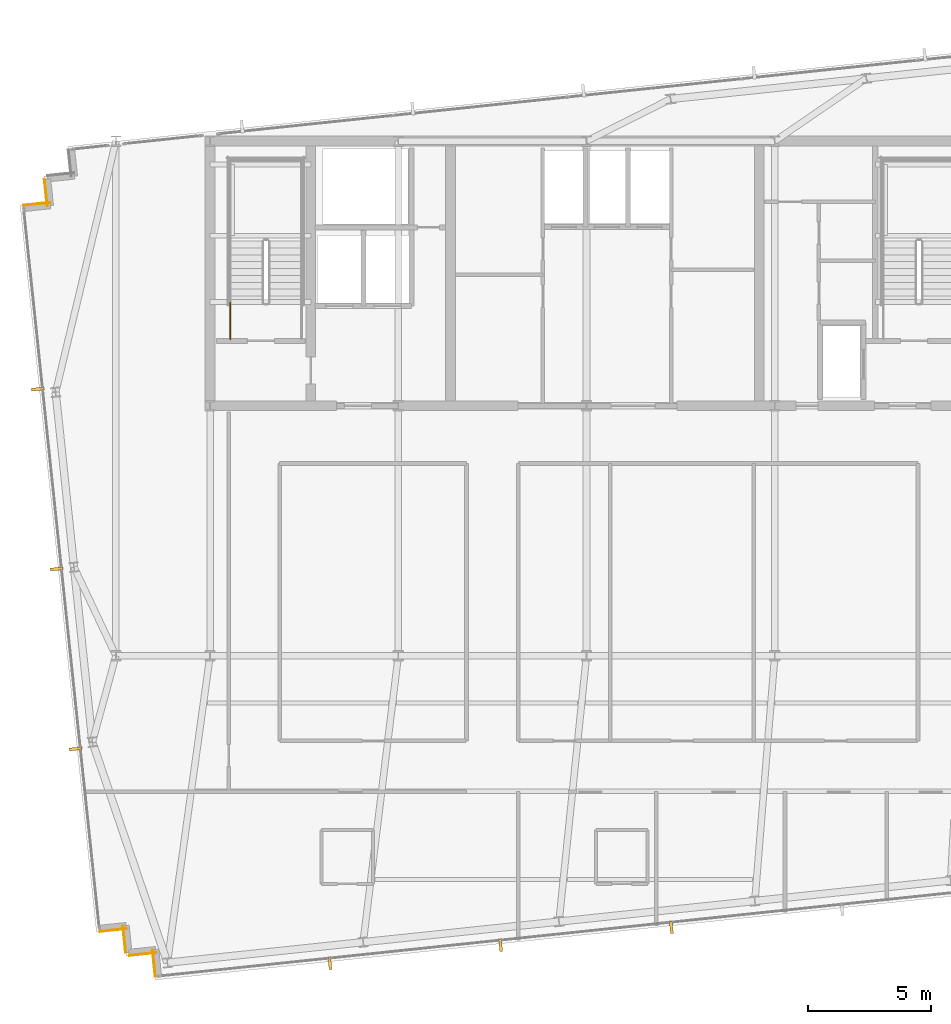
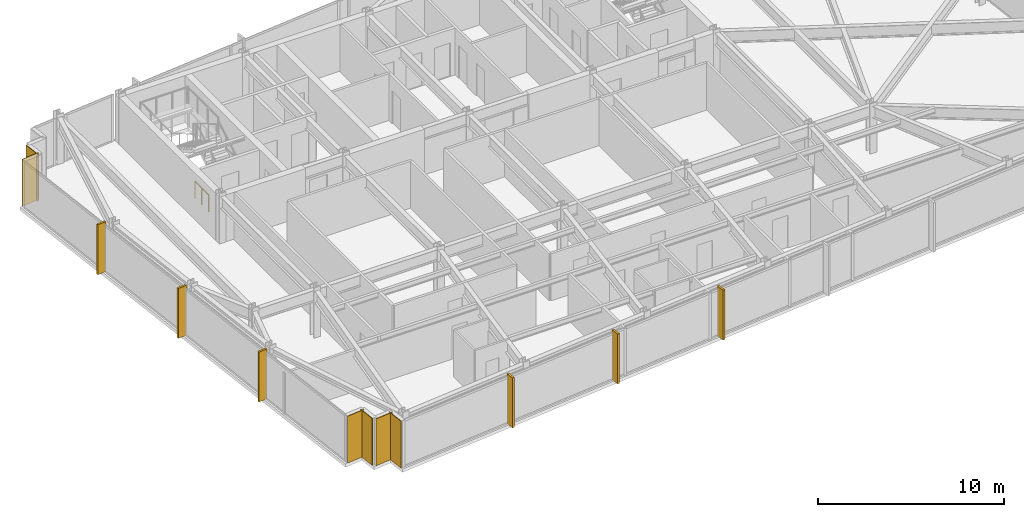
# One storey, part 29 of 32: 6 coverings, 6 shading devices, 1 railing.
"""IFC4 building model written with IfcOpenShell, lengths in metres."""

from ifc_helpers import new_model, si_unit, direction, frame, frame_2d, origin, origin_2d, place, context, subcontext, project, spatial, rectangle, circle, extrude, material, layer, layer_set, type_object, element, save


model = new_model("IFC4")

# Units and contexts
model_context = context("Model", 3, precision=1e-05, world=origin(), true_north=direction((0.0, 1.0)))
body_context = subcontext(model_context, "Body", "Model", "MODEL_VIEW")
ifc_project = project(units=[si_unit("LENGTHUNIT", "METRE"), si_unit("AREAUNIT", "SQUARE_METRE"), si_unit("VOLUMEUNIT", "CUBIC_METRE"), si_unit("PLANEANGLEUNIT", "RADIAN"), si_unit("MASSUNIT", "GRAM", prefix="KILO")], contexts=[model_context])

# Site, building, storey
site_placement = place(None, origin())
site = spatial("IfcSite", under=ifc_project, at=site_placement, CompositionType="ELEMENT")
building_placement = place(site_placement, origin())
building = spatial("IfcBuilding", under=site, at=building_placement, Name="Yelkora Congress Tower", CompositionType="ELEMENT")
storey_placement = place(building_placement, frame((0.0, 0.0, 217.699951171875)))
storey = spatial("IfcBuildingStorey", under=building, at=storey_placement, Name="L60", CompositionType="ELEMENT", Elevation=217.699951171875)

# Coverings
ifc_material_1 = material(Name="Anatolian bush-hammered limestone", Category="masonry")
ifc_layer_1 = layer(ifc_material_1, 0.0400390625)
ifc_layer_set_1 = layer_set([ifc_layer_1], Name="Anatolian bush-hammered limestone")
covering_type = type_object("IfcCoveringType", Name="COV-CLAD-SPANDREL-40", PredefinedType="CLADDING", material=ifc_layer_set_1)
covering_1_placement = place(storey_placement, frame((20.810302734375, 12.114501953125, 0.0), z_axis=(0.0, 0.0, 1.0), x_axis=(-0.104557671117, 0.994518825066, 0.0)))
element("IfcCovering", 1, at=covering_1_placement, inside=storey, type_object=covering_type, Name="L60 Anatolian Limestone Cladding EW-L60-SR01", PredefinedType="CLADDING", context=body_context, shape_type="SweptSolid", body=[
    extrude(rectangle(XDim=1.099853515625, YDim=0.0400390625, at=frame_2d((0.5498046875, 0.0))), origin(), (0.0, 0.0, 1.0), 3.080078125),
])
for number, where, z_axis, x_axis, name in (
    (2, (20.84375, 13.088134765625, 0.0), (0.0, 0.0, 1.0), (-0.994521251134, -0.104534592565, 0.0), "L60 Anatolian Limestone Cladding EW-L60-SR02"),
    (3, (19.601318359375, 13.09326171875, 0.0), (0.0, 0.0, 1.0), (-0.104534592565, 0.994521251134, 0.0), "L60 Anatolian Limestone Cladding EW-L60-SR03"),
    (4, (19.634765625, 14.067138671875, 0.0), (0.0, 0.0, 1.0), (-0.994521251134, -0.104534592565, 0.0), "L60 Anatolian Limestone Cladding EW-L60-SR04"),
):
    element("IfcCovering", number, at=place(storey_placement, frame(where, z_axis=z_axis, x_axis=x_axis)), inside=storey, type_object=covering_type, Name=name, PredefinedType="CLADDING", context=body_context, shape_type="SweptSolid", body=[
        extrude(rectangle(XDim=1.10009765625, YDim=0.0400390625, at=frame_2d((0.550048828125, 0.0))), origin(), (0.0, 0.0, 1.0), 3.080078125),
    ])
covering_2_placement = place(storey_placement, frame((15.427001953125, 43.5791015625, 0.0), z_axis=(0.0, 0.0, 1.0), x_axis=(0.994518825066, 0.104557671117, 0.0)))
element("IfcCovering", 5, at=covering_2_placement, inside=storey, type_object=covering_type, Name="L60 Anatolian Limestone Cladding EW-L60-SR06", PredefinedType="CLADDING", context=body_context, shape_type="SweptSolid", body=[
    extrude(rectangle(XDim=1.099853515625, YDim=0.0400390625, at=frame_2d((0.5498046875, 0.0))), origin(), (0.0, 0.0, 1.0), 3.080078125),
])
covering_3_placement = place(storey_placement, frame((16.400634765625, 43.545654296875, 0.0), z_axis=(0.0, 0.0, 1.0), x_axis=(-0.104315068386, 0.994544300928, 0.0)))
element("IfcCovering", 6, at=covering_3_placement, inside=storey, type_object=covering_type, Name="L60 Anatolian Limestone Cladding EW-L60-SR07", PredefinedType="CLADDING", context=body_context, shape_type="SweptSolid", body=[
    extrude(rectangle(XDim=1.10009765625, YDim=0.0400390625, at=frame_2d((0.550048828125, 0.0))), origin(), (0.0, 0.0, 1.0), 3.080078125),
])

# Railing
ifc_material_2 = material(Name="Painted galvanised steel stair well guard with vertical infill", Category="steel")
ifc_layer_2 = layer(ifc_material_2, 0.06005859375)
ifc_layer_set_2 = layer_set([ifc_layer_2], Name="Painted galvanised steel stair well guard with vertical infill")
railing_type = type_object("IfcRailingType", Name="RAIL-STAIR-GUARD-1120", PredefinedType="GUARDRAIL", material=ifc_layer_set_2)
railing_placement = place(storey_placement, frame((23.8701171875, 38.1201171875, 0.0)))
element("IfcRailing", 7, at=railing_placement, inside=storey, type_object=railing_type, Name="ST-01 L60 Stair Well Guardrail 9", PredefinedType="GUARDRAIL", context=body_context, shape_type="SweptSolid", body=[
    extrude(circle(Radius=0.02392578125, at=origin_2d()), frame((0.0, 0.0, 1.09619140625), z_axis=(0.0, 1.0, 0.0), x_axis=(-1.0, 0.0, 0.0)), (0.0, 0.0, 1.0), 1.47998046875),
    extrude(circle(Radius=0.02099609375, at=origin_2d()), origin(), (0.0, 0.0, 1.0), 1.072021484375),
    extrude(circle(Radius=0.02099609375, at=origin_2d()), frame((0.0, 0.739990234375, 0.0)), (0.0, 0.0, 1.0), 1.072021484375),
    extrude(circle(Radius=0.02099609375, at=origin_2d()), frame((0.0, 1.47998046875, 0.0)), (0.0, 0.0, 1.0), 1.072021484375),
])

# Shading devices
ifc_material_3 = material(Name="Champagne anodised aluminium", Category="aluminium")
ifc_layer_3 = layer(ifc_material_3, 3.300048828125)
ifc_layer_set_3 = layer_set([ifc_layer_3], Name="Champagne anodised aluminium")
shading_device_type = type_object("IfcShadingDeviceType", Name="SHD-FIN-ALU-520", PredefinedType="USERDEFINED", material=ifc_layer_set_3)
for number, where, z_axis, x_axis, name in (
    (8, (17.556396484375, 21.405029296875, -0.02978515625), (0.0, 0.0, 1.0), (-0.104528463268, 0.994521895368, 0.0), "L60 Vertical Anodised Solar Fin 5-1"),
    (9, (16.784912109375, 28.74462890625, -0.02978515625), (0.0, 0.0, 1.0), (-0.104528463268, 0.994521895368, 0.0), "L60 Vertical Anodised Solar Fin 5-2"),
    (10, (16.013671875, 36.084228515625, -0.02978515625), (0.0, 0.0, 1.0), (-0.104528463268, 0.994521895368, 0.0), "L60 Vertical Anodised Solar Fin 5-3"),
    (11, (41.85888671875, 14.12548828125, -0.02978515625), (0.0, 0.0, 1.0), (-0.994521895368, -0.104528463268, 0.0), "L60 Vertical Anodised Solar Fin 20-4"),
    (12, (34.89453125, 13.3935546875, -0.02978515625), (0.0, 0.0, 1.0), (-0.994521895368, -0.104528463268, 0.0), "L60 Vertical Anodised Solar Fin 20-5"),
    (13, (27.929931640625, 12.66162109375, -0.02978515625), (0.0, 0.0, 1.0), (-0.994521895368, -0.104528463268, 0.0), "L60 Vertical Anodised Solar Fin 20-6"),
):
    element("IfcShadingDevice", number, at=place(storey_placement, frame(where, z_axis=z_axis, x_axis=x_axis)), inside=storey, type_object=shading_device_type, Name=name, ObjectType="FIN", PredefinedType="USERDEFINED", context=body_context, shape_type="SweptSolid", body=[
        extrude(rectangle(XDim=0.1201171875, YDim=0.52001953125, at=origin_2d()), origin(), (0.0, 0.0, 1.0), 3.280029296875),
    ])

save(model, "model.ifc")
